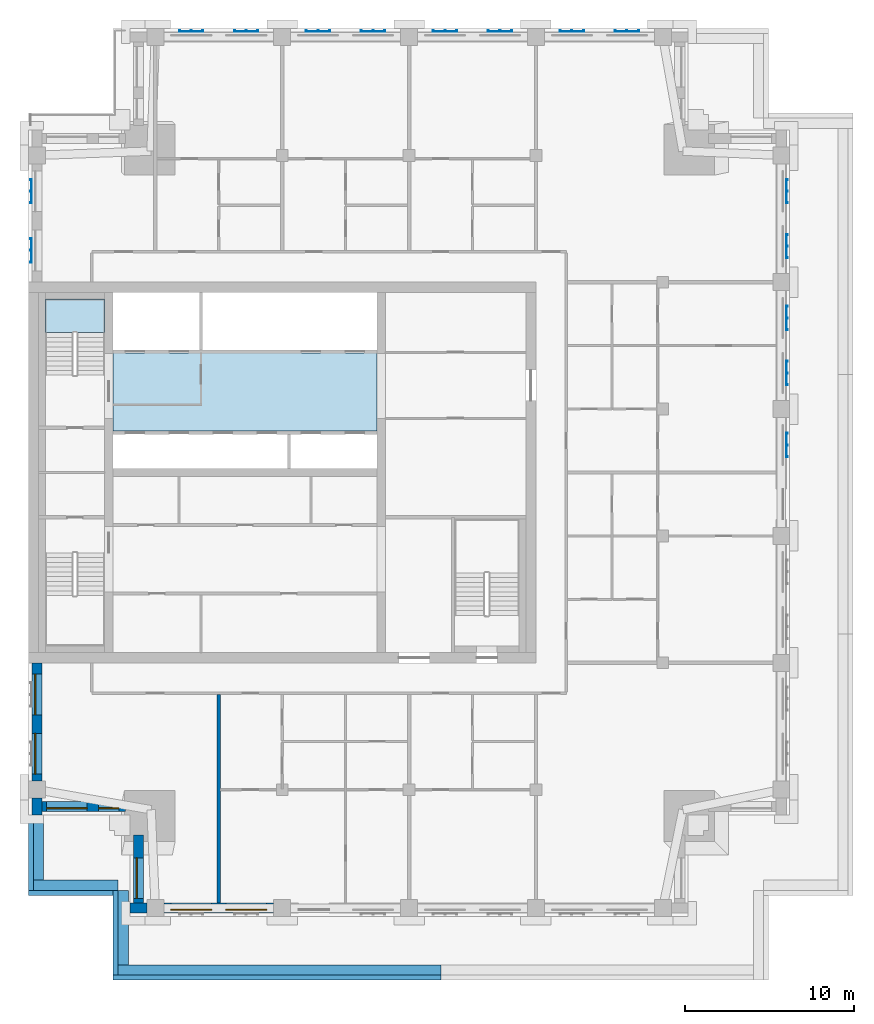
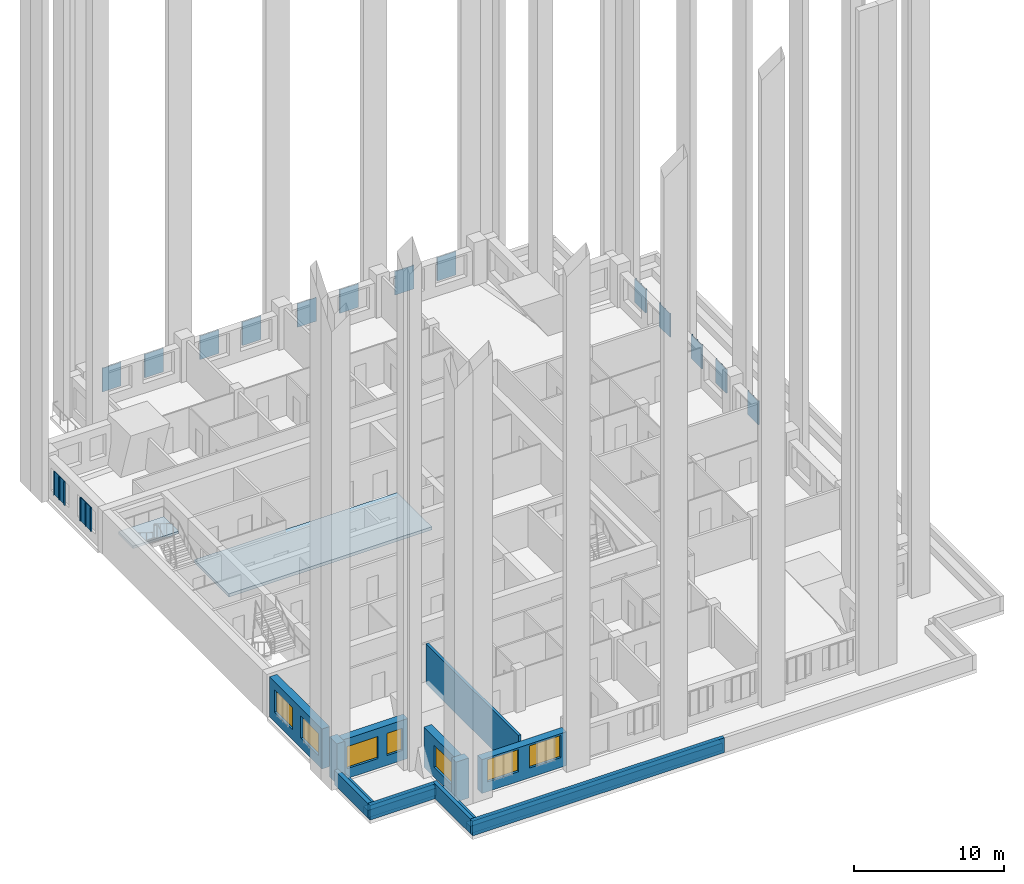
# One storey, part 2 of 12: 15 plates, 15 walls, 7 windows, 2 slabs, 7 openings, 1 element without a shape of its own.
"""IFC4 building model written with IfcOpenShell, lengths in metres."""

from ifc_helpers import new_model, si_unit, direction, frame, frame_2d, origin, place, context, subcontext, project, spatial, polyline, rectangle, outline, extrude, material, layer, layer_set, type_object, element, fill, aggregate, save


model = new_model("IFC4")

# Units and contexts
model_context = context("Model", 3, precision=1e-05, world=origin(), true_north=direction((0.0, 1.0)))
body_context = subcontext(model_context, "Body", "Model", "MODEL_VIEW")
ifc_project = project(units=[si_unit("LENGTHUNIT", "METRE"), si_unit("AREAUNIT", "SQUARE_METRE"), si_unit("VOLUMEUNIT", "CUBIC_METRE"), si_unit("PLANEANGLEUNIT", "RADIAN"), si_unit("MASSUNIT", "GRAM", prefix="KILO")], contexts=[model_context])

# Site, building, storey
site_placement = place(None, origin())
site = spatial("IfcSite", under=ifc_project, at=site_placement, CompositionType="ELEMENT")
building_placement = place(site_placement, origin())
building = spatial("IfcBuilding", under=site, at=building_placement, Name="Tamorin Gate", CompositionType="ELEMENT")
storey_placement = place(building_placement, frame((0.0, 0.0, 266.199951171875)))
storey = spatial("IfcBuildingStorey", under=building, at=storey_placement, Name="L66", CompositionType="ELEMENT", Elevation=266.199951171875)

# Slab
ifc_material_1 = material(Name="Concrete C40/50", Category="concrete")
ifc_layer_1 = layer(ifc_material_1, 0.25)
ifc_layer_set_1 = layer_set([ifc_layer_1], Name="Core floor slab 250 C40/50")
slab_type_1 = type_object("IfcSlabType", Name="Core floor slab 250 C40/50", PredefinedType="FLOOR", material=ifc_layer_set_1)
slab_1_placement = place(storey_placement, frame((0.0, 0.0, -0.25)))
element("IfcSlab", 1, at=slab_1_placement, inside=storey, type_object=slab_type_1, Name="Core floor L66", PredefinedType="FLOOR", context=body_context, shape_type="SweptSolid", body=[
    extrude(outline(polyline([(50.60009765625, 73.699951171875), (35.0, 73.699951171875), (35.0, 78.300048828125), (50.60009765625, 78.300048828125), (50.60009765625, 73.699951171875)])), origin(), (0.0, 0.0, 1.0), 0.25),
])

# Stair, slab
stair_type = type_object("IfcStairType", Name="Exit stair", PredefinedType="HALF_TURN_STAIR", material=ifc_material_1)
stair_placement = place(storey_placement, origin())
stair = element("IfcStair", 2, at=stair_placement, inside=storey, type_object=stair_type, Name="L66 stair ST2", PredefinedType="HALF_TURN_STAIR")
ifc_layer_2 = layer(ifc_material_1, 0.199951171875)
ifc_layer_set_2 = layer_set([ifc_layer_2], Name="Exit stair landing 200")
slab_type_2 = type_object("IfcSlabType", Name="Exit stair landing 200", PredefinedType="LANDING", material=ifc_layer_set_2)
slab_2_placement = place(storey_placement, frame((0.0, 0.0, 1.550048828125)))
slab_2 = element("IfcSlab", 3, at=slab_2_placement, type_object=slab_type_2, Name="ST2 landing 1", PredefinedType="LANDING", context=body_context, shape_type="SweptSolid", body=[
    extrude(outline(polyline([(34.5, 79.52001953125), (34.5, 81.5), (31.0, 81.5), (31.0, 79.52001953125), (34.5, 79.52001953125)])), origin(), (0.0, 0.0, 1.0), 0.199951171875),
])
aggregate(stair, [slab_2])

# Plates
ifc_material_2 = material(Name="Perforated pale aluminium sheet", Category="aluminium")
ifc_layer_3 = layer(ifc_material_2, 0.0400390625)
ifc_layer_set_3 = layer_set([ifc_layer_3], Name="Pale metal solar screen 1440")
plate_type = type_object("IfcPlateType", Name="Pale metal solar screen 1440", PredefinedType="SHEET", material=ifc_layer_set_3)
plate_1_placement = place(storey_placement, frame((0.0, 0.0, 0.737548828125)))
element("IfcPlate", 4, at=plate_1_placement, inside=storey, type_object=plate_type, Name="Perforated solar screen", PredefinedType="SHEET", context=body_context, shape_type="SweptSolid", body=[
    extrude(outline(polyline([(74.840087890625, 72.155029296875), (74.800048828125, 72.155029296875), (74.800048828125, 72.215087890625), (74.800048828125, 72.844970703125), (74.800048828125, 72.905029296875), (74.800048828125, 73.534912109375), (74.800048828125, 73.594970703125), (74.840087890625, 73.594970703125), (74.89990234375, 73.594970703125), (74.89990234375, 73.534912109375), (74.840087890625, 73.534912109375), (74.840087890625, 72.905029296875), (74.89990234375, 72.905029296875), (74.89990234375, 72.844970703125), (74.840087890625, 72.844970703125), (74.840087890625, 72.215087890625), (74.89990234375, 72.215087890625), (74.89990234375, 72.155029296875), (74.840087890625, 72.155029296875)])), origin(), (0.0, 0.0, 1.0), 1.925048828125),
])
plate_2_placement = place(storey_placement, frame((0.0, 0.0, 0.737548828125)))
element("IfcPlate", 5, at=plate_2_placement, inside=storey, type_object=plate_type, Name="Perforated solar screen", PredefinedType="SHEET", context=body_context, shape_type="SweptSolid", body=[
    extrude(outline(polyline([(74.840087890625, 76.405029296875), (74.800048828125, 76.405029296875), (74.800048828125, 76.465087890625), (74.800048828125, 77.094970703125), (74.800048828125, 77.155029296875), (74.800048828125, 77.784912109375), (74.800048828125, 77.844970703125), (74.840087890625, 77.844970703125), (74.89990234375, 77.844970703125), (74.89990234375, 77.784912109375), (74.840087890625, 77.784912109375), (74.840087890625, 77.155029296875), (74.89990234375, 77.155029296875), (74.89990234375, 77.094970703125), (74.840087890625, 77.094970703125), (74.840087890625, 76.465087890625), (74.89990234375, 76.465087890625), (74.89990234375, 76.405029296875), (74.840087890625, 76.405029296875)])), origin(), (0.0, 0.0, 1.0), 1.925048828125),
])
plate_3_placement = place(storey_placement, frame((0.0, 0.0, 0.737548828125)))
element("IfcPlate", 6, at=plate_3_placement, inside=storey, type_object=plate_type, Name="Perforated solar screen", PredefinedType="SHEET", context=body_context, shape_type="SweptSolid", body=[
    extrude(outline(polyline([(74.840087890625, 79.655029296875), (74.800048828125, 79.655029296875), (74.800048828125, 79.715087890625), (74.800048828125, 80.344970703125), (74.800048828125, 80.405029296875), (74.800048828125, 81.034912109375), (74.800048828125, 81.094970703125), (74.840087890625, 81.094970703125), (74.89990234375, 81.094970703125), (74.89990234375, 81.034912109375), (74.840087890625, 81.034912109375), (74.840087890625, 80.405029296875), (74.89990234375, 80.405029296875), (74.89990234375, 80.344970703125), (74.840087890625, 80.344970703125), (74.840087890625, 79.715087890625), (74.89990234375, 79.715087890625), (74.89990234375, 79.655029296875), (74.840087890625, 79.655029296875)])), origin(), (0.0, 0.0, 1.0), 1.925048828125),
])
plate_4_placement = place(storey_placement, frame((0.0, 0.0, 0.737548828125)))
element("IfcPlate", 7, at=plate_4_placement, inside=storey, type_object=plate_type, Name="Perforated solar screen", PredefinedType="SHEET", context=body_context, shape_type="SweptSolid", body=[
    extrude(outline(polyline([(74.840087890625, 83.905029296875), (74.800048828125, 83.905029296875), (74.800048828125, 83.965087890625), (74.800048828125, 84.594970703125), (74.800048828125, 84.655029296875), (74.800048828125, 85.284912109375), (74.800048828125, 85.344970703125), (74.840087890625, 85.344970703125), (74.89990234375, 85.344970703125), (74.89990234375, 85.284912109375), (74.840087890625, 85.284912109375), (74.840087890625, 84.655029296875), (74.89990234375, 84.655029296875), (74.89990234375, 84.594970703125), (74.840087890625, 84.594970703125), (74.840087890625, 83.965087890625), (74.89990234375, 83.965087890625), (74.89990234375, 83.905029296875), (74.840087890625, 83.905029296875)])), origin(), (0.0, 0.0, 1.0), 1.925048828125),
])
plate_5_placement = place(storey_placement, frame((0.0, 0.0, 0.737548828125)))
element("IfcPlate", 8, at=plate_5_placement, inside=storey, type_object=plate_type, Name="Perforated solar screen", PredefinedType="SHEET", context=body_context, shape_type="SweptSolid", body=[
    extrude(outline(polyline([(74.840087890625, 87.155029296875), (74.800048828125, 87.155029296875), (74.800048828125, 87.215087890625), (74.800048828125, 87.844970703125), (74.800048828125, 87.905029296875), (74.800048828125, 88.534912109375), (74.800048828125, 88.594970703125), (74.840087890625, 88.594970703125), (74.89990234375, 88.594970703125), (74.89990234375, 88.534912109375), (74.840087890625, 88.534912109375), (74.840087890625, 87.905029296875), (74.89990234375, 87.905029296875), (74.89990234375, 87.844970703125), (74.840087890625, 87.844970703125), (74.840087890625, 87.215087890625), (74.89990234375, 87.215087890625), (74.89990234375, 87.155029296875), (74.840087890625, 87.155029296875)])), origin(), (0.0, 0.0, 1.0), 1.925048828125),
])
plate_6_placement = place(storey_placement, frame((0.0, 0.0, 0.737548828125)))
element("IfcPlate", 9, at=plate_6_placement, inside=storey, type_object=plate_type, Name="Perforated solar screen", PredefinedType="SHEET", context=body_context, shape_type="SweptSolid", body=[
    extrude(outline(polyline([(62.844970703125, 97.340087890625), (62.844970703125, 97.300048828125), (62.784912109375, 97.300048828125), (62.155029296875, 97.300048828125), (62.094970703125, 97.300048828125), (61.465087890625, 97.300048828125), (61.405029296875, 97.300048828125), (61.405029296875, 97.300048828125), (61.405029296875, 97.340087890625), (61.405029296875, 97.340087890625), (61.405029296875, 97.39990234375), (61.465087890625, 97.39990234375), (61.465087890625, 97.340087890625), (62.094970703125, 97.340087890625), (62.094970703125, 97.39990234375), (62.155029296875, 97.39990234375), (62.155029296875, 97.340087890625), (62.784912109375, 97.340087890625), (62.784912109375, 97.39990234375), (62.844970703125, 97.39990234375), (62.844970703125, 97.340087890625)])), origin(), (0.0, 0.0, 1.0), 1.925048828125),
])
plate_7_placement = place(storey_placement, frame((0.0, 0.0, 0.737548828125)))
element("IfcPlate", 10, at=plate_7_placement, inside=storey, type_object=plate_type, Name="Perforated solar screen", PredefinedType="SHEET", context=body_context, shape_type="SweptSolid", body=[
    extrude(outline(polyline([(66.094970703125, 97.340087890625), (66.094970703125, 97.300048828125), (66.034912109375, 97.300048828125), (65.405029296875, 97.300048828125), (65.344970703125, 97.300048828125), (64.715087890625, 97.300048828125), (64.655029296875, 97.300048828125), (64.655029296875, 97.300048828125), (64.655029296875, 97.340087890625), (64.655029296875, 97.340087890625), (64.655029296875, 97.39990234375), (64.715087890625, 97.39990234375), (64.715087890625, 97.340087890625), (65.344970703125, 97.340087890625), (65.344970703125, 97.39990234375), (65.405029296875, 97.39990234375), (65.405029296875, 97.340087890625), (66.034912109375, 97.340087890625), (66.034912109375, 97.39990234375), (66.094970703125, 97.39990234375), (66.094970703125, 97.340087890625)])), origin(), (0.0, 0.0, 1.0), 1.925048828125),
])
plate_8_placement = place(storey_placement, frame((0.0, 0.0, 0.737548828125)))
element("IfcPlate", 11, at=plate_8_placement, inside=storey, type_object=plate_type, Name="Perforated solar screen", PredefinedType="SHEET", context=body_context, shape_type="SweptSolid", body=[
    extrude(outline(polyline([(55.344970703125, 97.340087890625), (55.344970703125, 97.300048828125), (55.284912109375, 97.300048828125), (54.655029296875, 97.300048828125), (54.594970703125, 97.300048828125), (53.965087890625, 97.300048828125), (53.905029296875, 97.300048828125), (53.905029296875, 97.340087890625), (53.905029296875, 97.39990234375), (53.965087890625, 97.39990234375), (53.965087890625, 97.340087890625), (54.594970703125, 97.340087890625), (54.594970703125, 97.39990234375), (54.655029296875, 97.39990234375), (54.655029296875, 97.340087890625), (55.284912109375, 97.340087890625), (55.284912109375, 97.39990234375), (55.344970703125, 97.39990234375), (55.344970703125, 97.340087890625)])), origin(), (0.0, 0.0, 1.0), 1.925048828125),
])
plate_9_placement = place(storey_placement, frame((0.0, 0.0, 0.737548828125)))
element("IfcPlate", 12, at=plate_9_placement, inside=storey, type_object=plate_type, Name="Perforated solar screen", PredefinedType="SHEET", context=body_context, shape_type="SweptSolid", body=[
    extrude(outline(polyline([(58.594970703125, 97.340087890625), (58.594970703125, 97.300048828125), (58.534912109375, 97.300048828125), (57.905029296875, 97.300048828125), (57.844970703125, 97.300048828125), (57.215087890625, 97.300048828125), (57.155029296875, 97.300048828125), (57.155029296875, 97.340087890625), (57.155029296875, 97.39990234375), (57.215087890625, 97.39990234375), (57.215087890625, 97.340087890625), (57.844970703125, 97.340087890625), (57.844970703125, 97.39990234375), (57.905029296875, 97.39990234375), (57.905029296875, 97.340087890625), (58.534912109375, 97.340087890625), (58.534912109375, 97.39990234375), (58.594970703125, 97.39990234375), (58.594970703125, 97.340087890625)])), origin(), (0.0, 0.0, 1.0), 1.925048828125),
])
plate_10_placement = place(storey_placement, frame((0.0, 0.0, 0.737548828125)))
element("IfcPlate", 13, at=plate_10_placement, inside=storey, type_object=plate_type, Name="Perforated solar screen", PredefinedType="SHEET", context=body_context, shape_type="SweptSolid", body=[
    extrude(outline(polyline([(47.844970703125, 97.340087890625), (47.844970703125, 97.300048828125), (47.784912109375, 97.300048828125), (47.155029296875, 97.300048828125), (47.094970703125, 97.300048828125), (46.465087890625, 97.300048828125), (46.405029296875, 97.300048828125), (46.405029296875, 97.340087890625), (46.405029296875, 97.39990234375), (46.465087890625, 97.39990234375), (46.465087890625, 97.340087890625), (47.094970703125, 97.340087890625), (47.094970703125, 97.39990234375), (47.155029296875, 97.39990234375), (47.155029296875, 97.340087890625), (47.784912109375, 97.340087890625), (47.784912109375, 97.39990234375), (47.844970703125, 97.39990234375), (47.844970703125, 97.340087890625)])), origin(), (0.0, 0.0, 1.0), 1.925048828125),
])
plate_11_placement = place(storey_placement, frame((0.0, 0.0, 0.737548828125)))
element("IfcPlate", 14, at=plate_11_placement, inside=storey, type_object=plate_type, Name="Perforated solar screen", PredefinedType="SHEET", context=body_context, shape_type="SweptSolid", body=[
    extrude(outline(polyline([(51.094970703125, 97.340087890625), (51.094970703125, 97.300048828125), (51.034912109375, 97.300048828125), (50.405029296875, 97.300048828125), (50.344970703125, 97.300048828125), (49.715087890625, 97.300048828125), (49.655029296875, 97.300048828125), (49.655029296875, 97.340087890625), (49.655029296875, 97.39990234375), (49.715087890625, 97.39990234375), (49.715087890625, 97.340087890625), (50.344970703125, 97.340087890625), (50.344970703125, 97.39990234375), (50.405029296875, 97.39990234375), (50.405029296875, 97.340087890625), (51.034912109375, 97.340087890625), (51.034912109375, 97.39990234375), (51.094970703125, 97.39990234375), (51.094970703125, 97.340087890625)])), origin(), (0.0, 0.0, 1.0), 1.925048828125),
])
plate_12_placement = place(storey_placement, frame((0.0, 0.0, 0.737548828125)))
element("IfcPlate", 15, at=plate_12_placement, inside=storey, type_object=plate_type, Name="Perforated solar screen", PredefinedType="SHEET", context=body_context, shape_type="SweptSolid", body=[
    extrude(outline(polyline([(40.344970703125, 97.340087890625), (40.344970703125, 97.300048828125), (40.284912109375, 97.300048828125), (39.655029296875, 97.300048828125), (39.594970703125, 97.300048828125), (38.965087890625, 97.300048828125), (38.905029296875, 97.300048828125), (38.905029296875, 97.340087890625), (38.905029296875, 97.39990234375), (38.965087890625, 97.39990234375), (38.965087890625, 97.340087890625), (39.594970703125, 97.340087890625), (39.594970703125, 97.39990234375), (39.655029296875, 97.39990234375), (39.655029296875, 97.340087890625), (40.284912109375, 97.340087890625), (40.284912109375, 97.39990234375), (40.344970703125, 97.39990234375), (40.344970703125, 97.340087890625)])), origin(), (0.0, 0.0, 1.0), 1.925048828125),
])
plate_13_placement = place(storey_placement, frame((0.0, 0.0, 0.737548828125)))
element("IfcPlate", 16, at=plate_13_placement, inside=storey, type_object=plate_type, Name="Perforated solar screen", PredefinedType="SHEET", context=body_context, shape_type="SweptSolid", body=[
    extrude(outline(polyline([(43.594970703125, 97.340087890625), (43.594970703125, 97.300048828125), (43.534912109375, 97.300048828125), (42.905029296875, 97.300048828125), (42.844970703125, 97.300048828125), (42.215087890625, 97.300048828125), (42.155029296875, 97.300048828125), (42.155029296875, 97.340087890625), (42.155029296875, 97.39990234375), (42.215087890625, 97.39990234375), (42.215087890625, 97.340087890625), (42.844970703125, 97.340087890625), (42.844970703125, 97.39990234375), (42.905029296875, 97.39990234375), (42.905029296875, 97.340087890625), (43.534912109375, 97.340087890625), (43.534912109375, 97.39990234375), (43.594970703125, 97.39990234375), (43.594970703125, 97.340087890625)])), origin(), (0.0, 0.0, 1.0), 1.925048828125),
])
plate_14_placement = place(storey_placement, frame((0.0, 0.0, 0.737548828125)))
element("IfcPlate", 17, at=plate_14_placement, inside=storey, type_object=plate_type, Name="Perforated solar screen", PredefinedType="SHEET", context=body_context, shape_type="SweptSolid", body=[
    extrude(outline(polyline([(30.159912109375, 85.094970703125), (30.199951171875, 85.094970703125), (30.199951171875, 85.034912109375), (30.199951171875, 84.405029296875), (30.199951171875, 84.344970703125), (30.199951171875, 83.715087890625), (30.199951171875, 83.655029296875), (30.199951171875, 83.655029296875), (30.159912109375, 83.655029296875), (30.159912109375, 83.655029296875), (30.10009765625, 83.655029296875), (30.10009765625, 83.715087890625), (30.159912109375, 83.715087890625), (30.159912109375, 84.344970703125), (30.10009765625, 84.344970703125), (30.10009765625, 84.405029296875), (30.159912109375, 84.405029296875), (30.159912109375, 85.034912109375), (30.10009765625, 85.034912109375), (30.10009765625, 85.094970703125), (30.159912109375, 85.094970703125)])), origin(), (0.0, 0.0, 1.0), 1.925048828125),
])
plate_15_placement = place(storey_placement, frame((0.0, 0.0, 0.737548828125)))
element("IfcPlate", 18, at=plate_15_placement, inside=storey, type_object=plate_type, Name="Perforated solar screen", PredefinedType="SHEET", context=body_context, shape_type="SweptSolid", body=[
    extrude(outline(polyline([(30.159912109375, 88.594970703125), (30.199951171875, 88.594970703125), (30.199951171875, 88.534912109375), (30.199951171875, 87.905029296875), (30.199951171875, 87.844970703125), (30.199951171875, 87.215087890625), (30.199951171875, 87.155029296875), (30.199951171875, 87.155029296875), (30.159912109375, 87.155029296875), (30.159912109375, 87.155029296875), (30.10009765625, 87.155029296875), (30.10009765625, 87.215087890625), (30.159912109375, 87.215087890625), (30.159912109375, 87.844970703125), (30.10009765625, 87.844970703125), (30.10009765625, 87.905029296875), (30.159912109375, 87.905029296875), (30.159912109375, 88.534912109375), (30.10009765625, 88.534912109375), (30.10009765625, 88.594970703125), (30.159912109375, 88.594970703125)])), origin(), (0.0, 0.0, 1.0), 1.925048828125),
])

# Wall
ifc_material_3 = material(Name="Precast concrete C40/50", Category="concrete")
ifc_layer_4 = layer(ifc_material_3, 0.60009765625)
ifc_layer_set_4 = layer_set([ifc_layer_4], Name="Precast concrete C40/50")
wall_type_1 = type_object("IfcWallType", Name="Board-marked concrete facade panel 600", PredefinedType="SOLIDWALL", material=ifc_layer_set_4)
wall_1_placement = place(storey_placement, frame((36.0, 45.5, 0.0), z_axis=(0.0, 0.0, 1.0), x_axis=(1.0, 0.0, 0.0)))
element("IfcWall", 19, at=wall_1_placement, inside=storey, type_object=wall_type_1, Name="Facade panel", PredefinedType="SOLIDWALL", context=body_context, shape_type="SweptSolid", body=[
    extrude(rectangle(XDim=1.0, YDim=0.60009765625, at=frame_2d((0.5, 0.0))), origin(), (0.0, 0.0, 1.0), 3.25),
])

# Wall, openings, windows
wall_2_placement = place(storey_placement, frame((38.0, 45.5, 0.0), z_axis=(0.0, 0.0, 1.0), x_axis=(1.0, 0.0, 0.0)))
wall_2 = element("IfcWall", 20, at=wall_2_placement, inside=storey, type_object=wall_type_1, Name="Facade panel", PredefinedType="SOLIDWALL", context=body_context, shape_type="SweptSolid", body=[
    extrude(rectangle(XDim=6.5, YDim=0.60009765625, at=frame_2d((3.25, 0.0))), origin(), (0.0, 0.0, 1.0), 2.75),
])
opening_1_placement = place(wall_2_placement, frame((0.425048828125, 0.0, 0.800048828125)))
opening_1 = element("IfcOpeningElement", 21, at=opening_1_placement, cuts=wall_2, Name="Opening WN1", PredefinedType="OPENING", context=body_context, shape_type="SweptSolid", body=[
    extrude(rectangle(XDim=2.39990234375, YDim=1.800048828125, at=frame_2d((1.199951171875, 0.89990234375))), frame((0.0, 0.31005859375, 0.0), z_axis=(0.0, -1.0, 0.0), x_axis=(1.0, 0.0, 0.0)), (0.0, 0.0, 1.0), 0.6201171875),
])
opening_2_placement = place(wall_2_placement, frame((3.675048828125, 0.0, 0.800048828125)))
opening_2 = element("IfcOpeningElement", 22, at=opening_2_placement, cuts=wall_2, Name="Opening WN1", PredefinedType="OPENING", context=body_context, shape_type="SweptSolid", body=[
    extrude(rectangle(XDim=2.39990234375, YDim=1.800048828125, at=frame_2d((1.199951171875, 0.89990234375))), frame((0.0, 0.31005859375, 0.0), z_axis=(0.0, -1.0, 0.0), x_axis=(1.0, 0.0, 0.0)), (0.0, 0.0, 1.0), 0.6201171875),
])
ifc_material_4 = material(Name="Clear glass in aluminium frame", Category="aluminium")
window_type_1 = type_object("IfcWindowType", Name="Deep-set window 2400x1800", PartitioningType="SINGLE_PANEL", PredefinedType="WINDOW", material=ifc_material_4)
window_1_placement = place(opening_1_placement, origin())
window_1 = element("IfcWindow", 23, at=window_1_placement, inside=storey, type_object=window_type_1, Name="Deep-set window", OverallHeight=1.800048828125, OverallWidth=2.39990234375, PartitioningType="SINGLE_PANEL", PredefinedType="WINDOW", context=body_context, shape_type="SweptSolid", body=[
    extrude(rectangle(XDim=2.39990234375, YDim=1.800048828125, at=frame_2d((1.199951171875, 0.89990234375))), frame((0.0, -0.070068359375, 0.0), z_axis=(0.0, -1.0, 0.0), x_axis=(1.0, 0.0, 0.0)), (0.0, 0.0, 1.0), 0.06005859375),
])
fill(opening_1, window_1)
window_2_placement = place(opening_2_placement, origin())
window_2 = element("IfcWindow", 24, at=window_2_placement, inside=storey, type_object=window_type_1, Name="Deep-set window", OverallHeight=1.800048828125, OverallWidth=2.39990234375, PartitioningType="SINGLE_PANEL", PredefinedType="WINDOW", context=body_context, shape_type="SweptSolid", body=[
    extrude(rectangle(XDim=2.39990234375, YDim=1.800048828125, at=frame_2d((1.199951171875, 0.89990234375))), frame((0.0, -0.070068359375, 0.0), z_axis=(0.0, -1.0, 0.0), x_axis=(1.0, 0.0, 0.0)), (0.0, 0.0, 1.0), 0.06005859375),
])
fill(opening_2, window_2)

wall_3_placement = place(storey_placement, frame((30.5, 60.0, 0.0), z_axis=(0.0, 0.0, 1.0), x_axis=(0.0, -1.0, 0.0)))
wall_3 = element("IfcWall", 25, at=wall_3_placement, inside=storey, type_object=wall_type_1, Name="Facade panel", PredefinedType="SOLIDWALL", context=body_context, shape_type="SweptSolid", body=[
    extrude(rectangle(XDim=7.0, YDim=0.60009765625, at=frame_2d((3.5, 0.0))), origin(), (0.0, 0.0, 1.0), 3.25),
])
opening_3_placement = place(wall_3_placement, frame((4.175048828125, 0.0, 0.800048828125)))
opening_3 = element("IfcOpeningElement", 26, at=opening_3_placement, cuts=wall_3, Name="Opening WN1", PredefinedType="OPENING", context=body_context, shape_type="SweptSolid", body=[
    extrude(rectangle(XDim=2.39990234375, YDim=1.800048828125, at=frame_2d((1.199951171875, 0.89990234375))), frame((0.0, 0.31005859375, 0.0), z_axis=(0.0, -1.0, 0.0), x_axis=(1.0, 0.0, 0.0)), (0.0, 0.0, 1.0), 0.6201171875),
])
opening_4_placement = place(wall_3_placement, frame((0.675048828125, 0.0, 0.800048828125)))
opening_4 = element("IfcOpeningElement", 27, at=opening_4_placement, cuts=wall_3, Name="Opening WN1", PredefinedType="OPENING", context=body_context, shape_type="SweptSolid", body=[
    extrude(rectangle(XDim=2.39990234375, YDim=1.800048828125, at=frame_2d((1.199951171875, 0.89990234375))), frame((0.0, 0.31005859375, 0.0), z_axis=(0.0, -1.0, 0.0), x_axis=(1.0, 0.0, 0.0)), (0.0, 0.0, 1.0), 0.6201171875),
])
window_3_placement = place(opening_3_placement, origin())
window_3 = element("IfcWindow", 28, at=window_3_placement, inside=storey, type_object=window_type_1, Name="Deep-set window", OverallHeight=1.800048828125, OverallWidth=2.39990234375, PartitioningType="SINGLE_PANEL", PredefinedType="WINDOW", context=body_context, shape_type="SweptSolid", body=[
    extrude(rectangle(XDim=2.39990234375, YDim=1.800048828125, at=frame_2d((1.199951171875, 0.89990234375))), frame((0.0, -0.070068359375, 0.0), z_axis=(0.0, -1.0, 0.0), x_axis=(1.0, 0.0, 0.0)), (0.0, 0.0, 1.0), 0.06005859375),
])
fill(opening_3, window_3)
window_4_placement = place(opening_4_placement, origin())
window_4 = element("IfcWindow", 29, at=window_4_placement, inside=storey, type_object=window_type_1, Name="Deep-set window", OverallHeight=1.800048828125, OverallWidth=2.39990234375, PartitioningType="SINGLE_PANEL", PredefinedType="WINDOW", context=body_context, shape_type="SweptSolid", body=[
    extrude(rectangle(XDim=2.39990234375, YDim=1.800048828125, at=frame_2d((1.199951171875, 0.89990234375))), frame((0.0, -0.070068359375, 0.0), z_axis=(0.0, -1.0, 0.0), x_axis=(1.0, 0.0, 0.0)), (0.0, 0.0, 1.0), 0.06005859375),
])
fill(opening_4, window_4)

# Wall
wall_4_placement = place(storey_placement, frame((30.5, 52.0, 0.0), z_axis=(0.0, 0.0, 1.0), x_axis=(0.0, -1.0, 0.0)))
element("IfcWall", 30, at=wall_4_placement, inside=storey, type_object=wall_type_1, Name="Facade panel", PredefinedType="SOLIDWALL", context=body_context, shape_type="SweptSolid", body=[
    extrude(rectangle(XDim=1.0, YDim=0.60009765625, at=frame_2d((0.5, 0.0))), origin(), (0.0, 0.0, 1.0), 3.25),
])

# Wall, openings, windows
wall_5_placement = place(storey_placement, frame((30.800048828125, 51.5, 0.0), z_axis=(0.0, 0.0, 1.0), x_axis=(1.0, 0.0, 0.0)))
wall_5 = element("IfcWall", 31, at=wall_5_placement, inside=storey, type_object=wall_type_1, Name="Facade panel", PredefinedType="SOLIDWALL", context=body_context, shape_type="SweptSolid", body=[
    extrude(rectangle(XDim=4.949951171875, YDim=0.60009765625, at=frame_2d((2.47509765625, 0.0))), origin(), (0.0, 0.0, 1.0), 3.25),
])
opening_5_placement = place(wall_5_placement, frame((0.27490234375, 0.0, 0.800048828125)))
opening_5 = element("IfcOpeningElement", 32, at=opening_5_placement, cuts=wall_5, Name="Opening WN1", PredefinedType="OPENING", context=body_context, shape_type="SweptSolid", body=[
    extrude(rectangle(XDim=2.39990234375, YDim=1.800048828125, at=frame_2d((1.199951171875, 0.89990234375))), frame((0.0, 0.31005859375, 0.0), z_axis=(0.0, -1.0, 0.0), x_axis=(1.0, 0.0, 0.0)), (0.0, 0.0, 1.0), 0.6201171875),
])
opening_6_placement = place(wall_5_placement, frame((3.35009765625, 0.0, 0.800048828125)))
opening_6 = element("IfcOpeningElement", 33, at=opening_6_placement, cuts=wall_5, Name="Opening WN3", PredefinedType="OPENING", context=body_context, shape_type="SweptSolid", body=[
    extrude(rectangle(XDim=1.199951171875, YDim=1.800048828125, at=frame_2d((0.60009765625, 0.89990234375))), frame((0.0, 0.31005859375, 0.0), z_axis=(0.0, -1.0, 0.0), x_axis=(1.0, 0.0, 0.0)), (0.0, 0.0, 1.0), 0.6201171875),
])
window_type_2 = type_object("IfcWindowType", Name="Deep-set window 1200x1800", PartitioningType="SINGLE_PANEL", PredefinedType="WINDOW", material=ifc_material_4)
window_5_placement = place(opening_6_placement, origin())
window_5 = element("IfcWindow", 34, at=window_5_placement, inside=storey, type_object=window_type_2, Name="Deep-set window", OverallHeight=1.800048828125, OverallWidth=1.199951171875, PartitioningType="SINGLE_PANEL", PredefinedType="WINDOW", context=body_context, shape_type="SweptSolid", body=[
    extrude(rectangle(XDim=1.199951171875, YDim=1.800048828125, at=frame_2d((0.60009765625, 0.89990234375))), frame((0.0, -0.070068359375, 0.0), z_axis=(0.0, -1.0, 0.0), x_axis=(1.0, 0.0, 0.0)), (0.0, 0.0, 1.0), 0.06005859375),
])
fill(opening_6, window_5)
window_6_placement = place(opening_5_placement, origin())
window_6 = element("IfcWindow", 35, at=window_6_placement, inside=storey, type_object=window_type_1, Name="Deep-set window", OverallHeight=1.800048828125, OverallWidth=2.39990234375, PartitioningType="SINGLE_PANEL", PredefinedType="WINDOW", context=body_context, shape_type="SweptSolid", body=[
    extrude(rectangle(XDim=2.39990234375, YDim=1.800048828125, at=frame_2d((1.199951171875, 0.89990234375))), frame((0.0, -0.070068359375, 0.0), z_axis=(0.0, -1.0, 0.0), x_axis=(1.0, 0.0, 0.0)), (0.0, 0.0, 1.0), 0.06005859375),
])
fill(opening_5, window_6)

# Wall, opening, window
wall_6_placement = place(storey_placement, frame((36.5, 49.8125, 0.0), z_axis=(0.0, 0.0, 1.0), x_axis=(0.0, -1.0, 0.0)))
wall_6 = element("IfcWall", 36, at=wall_6_placement, inside=storey, type_object=wall_type_1, Name="Facade panel", PredefinedType="SOLIDWALL", context=body_context, shape_type="SweptSolid", body=[
    extrude(rectangle(XDim=4.012451171875, YDim=0.60009765625, at=frame_2d((2.00634765625, 0.0))), origin(), (0.0, 0.0, 1.0), 3.25),
])
opening_7_placement = place(wall_6_placement, frame((1.33740234375, 0.0, 0.800048828125)))
opening_7 = element("IfcOpeningElement", 37, at=opening_7_placement, cuts=wall_6, Name="Opening WN1", PredefinedType="OPENING", context=body_context, shape_type="SweptSolid", body=[
    extrude(rectangle(XDim=2.39990234375, YDim=1.800048828125, at=frame_2d((1.199951171875, 0.89990234375))), frame((0.0, 0.31005859375, 0.0), z_axis=(0.0, -1.0, 0.0), x_axis=(1.0, 0.0, 0.0)), (0.0, 0.0, 1.0), 0.6201171875),
])
window_7_placement = place(opening_7_placement, origin())
window_7 = element("IfcWindow", 38, at=window_7_placement, inside=storey, type_object=window_type_1, Name="Deep-set window", OverallHeight=1.800048828125, OverallWidth=2.39990234375, PartitioningType="SINGLE_PANEL", PredefinedType="WINDOW", context=body_context, shape_type="SweptSolid", body=[
    extrude(rectangle(XDim=2.39990234375, YDim=1.800048828125, at=frame_2d((1.199951171875, 0.89990234375))), frame((0.0, -0.070068359375, 0.0), z_axis=(0.0, -1.0, 0.0), x_axis=(1.0, 0.0, 0.0)), (0.0, 0.0, 1.0), 0.06005859375),
])
fill(opening_7, window_7)

# Walls
ifc_material_5 = material(Name="Gypsum board partition")
ifc_layer_5 = layer(ifc_material_5, 0.199951171875)
ifc_layer_set_5 = layer_set([ifc_layer_5], Name="Demising wall 200")
wall_type_2 = type_object("IfcWallType", Name="Demising wall 200", PredefinedType="PARTITIONING", material=ifc_layer_set_5)
wall_7_placement = place(storey_placement, frame((41.25, 45.81005859375, 0.0), z_axis=(0.0, 0.0, 1.0), x_axis=(0.0, 1.0, 0.0)))
element("IfcWall", 39, at=wall_7_placement, inside=storey, type_object=wall_type_2, Name="Demising wall 200", PredefinedType="PARTITIONING", context=body_context, shape_type="SweptSolid", body=[
    extrude(rectangle(XDim=12.31494140625, YDim=0.199951171875, at=frame_2d((6.157470703125, 0.0))), origin(), (0.0, 0.0, 1.0), 3.25),
])
ifc_layer_6 = layer(ifc_material_3, 0.300048828125)
ifc_layer_set_6 = layer_set([ifc_layer_6], Name="Terrace parapet 300")
wall_type_3 = type_object("IfcWallType", Name="Terrace parapet 300", PredefinedType="PARAPET", material=ifc_layer_set_6)
wall_8_placement = place(storey_placement, frame((35.0, 41.39990234375, 0.0), z_axis=(0.0, 0.0, 1.0), x_axis=(1.0, 0.0, 0.0)))
element("IfcWall", 40, at=wall_8_placement, inside=storey, type_object=wall_type_3, Name="Terrace parapet", PredefinedType="PARAPET", context=body_context, shape_type="SweptSolid", body=[
    extrude(rectangle(XDim=19.375, YDim=0.300048828125, at=frame_2d((9.6875, 0.0))), origin(), (0.0, 0.0, 1.0), 1.199951171875),
])
for number, where, z_axis, x_axis, name in (
    (41, (35.14990234375, 41.550048828125, 0.0), (0.0, 0.0, 1.0), (0.0, 1.0, 0.0), "Terrace parapet"),
    (42, (30.0, 46.39990234375, 0.0), (0.0, 0.0, 1.0), (1.0, 0.0, 0.0), "Terrace parapet"),
):
    element("IfcWall", number, at=place(storey_placement, frame(where, z_axis=z_axis, x_axis=x_axis)), inside=storey, type_object=wall_type_3, Name=name, PredefinedType="PARAPET", context=body_context, shape_type="SweptSolid", body=[
        extrude(rectangle(XDim=5.0, YDim=0.300048828125, at=frame_2d((2.5, 0.0))), origin(), (0.0, 0.0, 1.0), 1.199951171875),
    ])
wall_9_placement = place(storey_placement, frame((30.14990234375, 51.0, 0.0), z_axis=(0.0, 0.0, 1.0), x_axis=(0.0, -1.0, 0.0)))
element("IfcWall", 43, at=wall_9_placement, inside=storey, type_object=wall_type_3, Name="Terrace parapet", PredefinedType="PARAPET", context=body_context, shape_type="SweptSolid", body=[
    extrude(rectangle(XDim=4.449951171875, YDim=0.300048828125, at=frame_2d((2.22509765625, 0.0))), origin(), (0.0, 0.0, 1.0), 1.199951171875),
])
ifc_layer_7 = layer(ifc_material_3, 0.60009765625)
ifc_layer_set_7 = layer_set([ifc_layer_7], Name="Terrace planter wall 600")
wall_type_4 = type_object("IfcWallType", Name="Terrace planter wall 600", PredefinedType="STANDARD", material=ifc_layer_set_7)
wall_10_placement = place(storey_placement, frame((35.0, 41.85009765625, 0.0), z_axis=(0.0, 0.0, 1.0), x_axis=(1.0, 0.0, 0.0)))
element("IfcWall", 44, at=wall_10_placement, inside=storey, type_object=wall_type_4, Name="PLANTER wall", PredefinedType="STANDARD", context=body_context, shape_type="SweptSolid", body=[
    extrude(rectangle(XDim=19.375, YDim=0.60009765625, at=frame_2d((9.6875, 0.0))), origin(), (0.0, 0.0, 1.0), 0.60009765625),
])
wall_11_placement = place(storey_placement, frame((35.60009765625, 42.14990234375, 0.0), z_axis=(0.0, 0.0, 1.0), x_axis=(0.0, 1.0, 0.0)))
element("IfcWall", 45, at=wall_11_placement, inside=storey, type_object=wall_type_4, Name="PLANTER wall", PredefinedType="STANDARD", context=body_context, shape_type="SweptSolid", body=[
    extrude(rectangle(XDim=4.400146484375, YDim=0.60009765625, at=frame_2d((2.2001953125, 0.0))), origin(), (0.0, 0.0, 1.0), 0.60009765625),
])
wall_12_placement = place(storey_placement, frame((30.0, 46.85009765625, 0.0), z_axis=(0.0, 0.0, 1.0), x_axis=(1.0, 0.0, 0.0)))
element("IfcWall", 46, at=wall_12_placement, inside=storey, type_object=wall_type_4, Name="PLANTER wall", PredefinedType="STANDARD", context=body_context, shape_type="SweptSolid", body=[
    extrude(rectangle(XDim=5.300048828125, YDim=0.60009765625, at=frame_2d((2.64990234375, 0.0))), origin(), (0.0, 0.0, 1.0), 0.60009765625),
])
wall_13_placement = place(storey_placement, frame((30.60009765625, 47.14990234375, 0.0), z_axis=(0.0, 0.0, 1.0), x_axis=(0.0, 1.0, 0.0)))
element("IfcWall", 47, at=wall_13_placement, inside=storey, type_object=wall_type_4, Name="PLANTER wall", PredefinedType="STANDARD", context=body_context, shape_type="SweptSolid", body=[
    extrude(rectangle(XDim=3.800048828125, YDim=0.60009765625, at=frame_2d((1.89990234375, 0.0))), origin(), (0.0, 0.0, 1.0), 0.60009765625),
])

save(model, "model.ifc")
